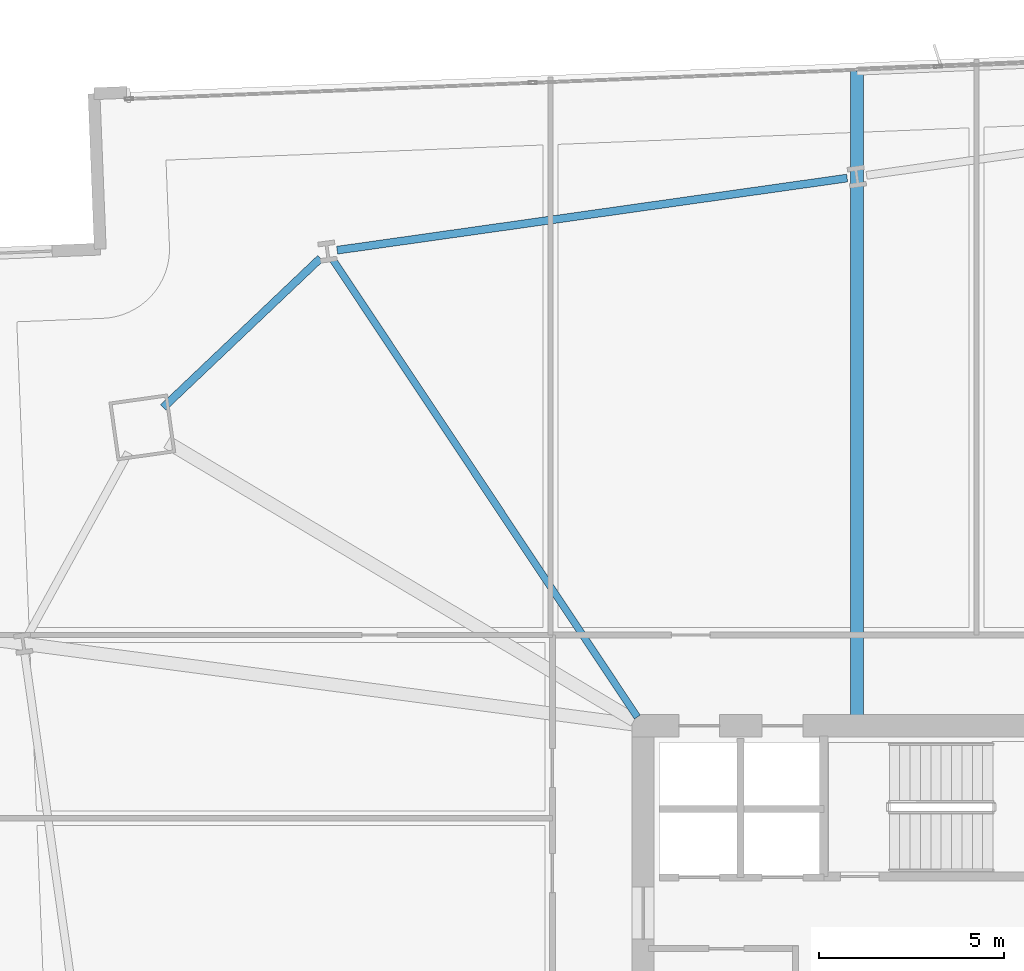
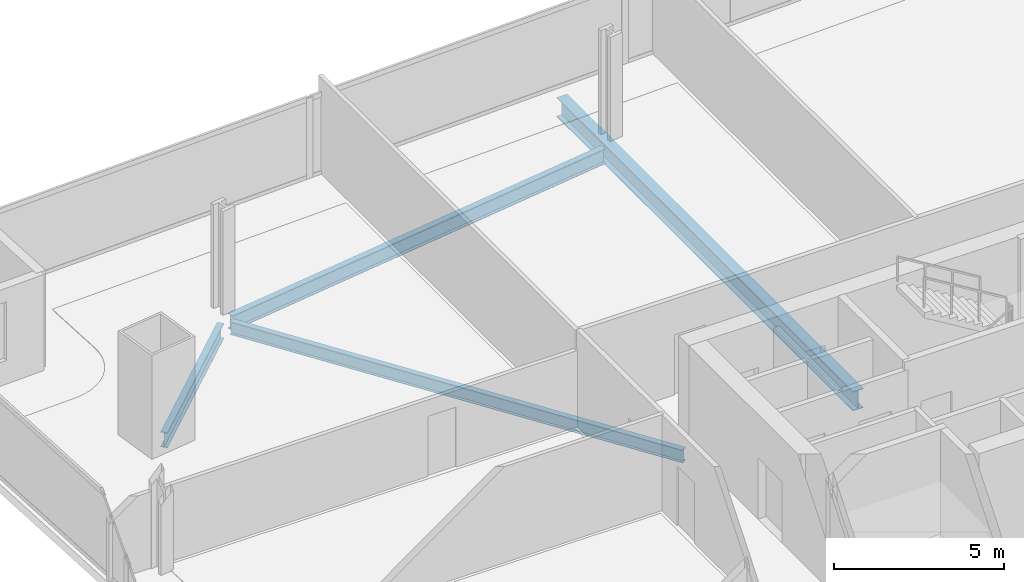
# One storey, part 17 of 32: 4 beams.
"""IFC4 building model written with IfcOpenShell, lengths in metres."""

from ifc_helpers import new_model, si_unit, direction, frame, origin, origin_2d, place, context, subcontext, project, spatial, i_section, extrude, material, material_profile, profile_set, type_object, element, save


model = new_model("IFC4")

# Units and contexts
model_context = context("Model", 3, precision=1e-05, world=origin(), true_north=direction((0.0, 1.0)))
body_context = subcontext(model_context, "Body", "Model", "MODEL_VIEW")
ifc_project = project(units=[si_unit("LENGTHUNIT", "METRE"), si_unit("AREAUNIT", "SQUARE_METRE"), si_unit("VOLUMEUNIT", "CUBIC_METRE"), si_unit("PLANEANGLEUNIT", "RADIAN"), si_unit("MASSUNIT", "GRAM", prefix="KILO")], contexts=[model_context])

# Site, building, storey
site_placement = place(None, origin())
site = spatial("IfcSite", under=ifc_project, at=site_placement, CompositionType="ELEMENT")
building_placement = place(site_placement, origin())
building = spatial("IfcBuilding", under=site, at=building_placement, Name="Haldenkirk Collegiate Tower", CompositionType="ELEMENT")
storey_placement = place(building_placement, frame((0.0, 0.0, 36.449951171875)))
storey = spatial("IfcBuildingStorey", under=building, at=storey_placement, Name="L07", CompositionType="ELEMENT", Elevation=36.449951171875)

# Beams
ifc_material = material(Name="Steel ASTM A992 Grade 50", Category="steel")
ifc_material_profile_1 = material_profile(ifc_material, i_section(OverallWidth=0.35498046875, OverallDepth=0.696044921875, WebThickness=0.015380859375, FlangeThickness=0.02490234375, at=origin_2d()), Name="W27X146")
ifc_profile_set_1 = profile_set([ifc_material_profile_1], Name="Steel ASTM A992 Grade 50")
beam_type_1 = type_object("IfcBeamType", Name="BM-GIRDER-W27X146", PredefinedType="BEAM", material=ifc_profile_set_1)
beam_1_placement = place(storey_placement, frame((32.772216796875, 51.671142578125, -0.657958984375), z_axis=(0.0, -1.0, 0.0), x_axis=(1.0, 0.0, 0.0)))
element("IfcBeam", 1, at=beam_1_placement, inside=storey, type_object=beam_type_1, Name="L07 primary floor girder 12", PredefinedType="BEAM", context=body_context, shape_type="SweptSolid", body=[
    extrude(i_section(OverallWidth=0.35498046875, OverallDepth=0.696044921875, WebThickness=0.015380859375, FlangeThickness=0.02490234375, at=origin_2d()), origin(), (0.0, 0.0, 1.0), 17.39111328125),
])
ifc_material_profile_2 = material_profile(ifc_material, i_section(OverallWidth=0.19189453125, OverallDepth=0.462890625, WebThickness=0.010498046875, FlangeThickness=0.017578125, at=origin_2d()), Name="W18X60")
ifc_profile_set_2 = profile_set([ifc_material_profile_2], Name="Steel ASTM A992 Grade 50")
beam_type_2 = type_object("IfcBeamType", Name="BM-JOIST-W18X60", PredefinedType="JOIST", material=ifc_profile_set_2)
beam_2_placement = place(storey_placement, frame((18.625, 46.5810546875, -0.54150390625), z_axis=(0.554130343162, -0.83242991464, 0.0), x_axis=(0.83242991464, 0.554130343162, 0.0)))
element("IfcBeam", 2, at=beam_2_placement, inside=storey, type_object=beam_type_2, Name="L07 composite floor joist 13", PredefinedType="JOIST", context=body_context, shape_type="SweptSolid", body=[
    extrude(i_section(OverallWidth=0.19189453125, OverallDepth=0.462890625, WebThickness=0.010498046875, FlangeThickness=0.017578125, at=origin_2d()), origin(), (0.0, 0.0, 1.0), 14.83349609375),
])
ifc_material_profile_3 = material_profile(ifc_material, i_section(OverallWidth=0.2119140625, OverallDepth=0.5439453125, WebThickness=0.01318359375, FlangeThickness=0.021240234375, at=origin_2d()), Name="W21X83")
ifc_profile_set_3 = profile_set([ifc_material_profile_3], Name="Steel ASTM A992 Grade 50")
beam_type_3 = type_object("IfcBeamType", Name="BM-SPANDREL-W21X83", PredefinedType="SPANDREL", material=ifc_profile_set_3)
beam_3_placement = place(storey_placement, frame((32.51025390625, 48.785888671875, -0.58203125), z_axis=(-0.990146197746, -0.14003752029, 0.0), x_axis=(0.14003752029, -0.990146197746, 0.0)))
element("IfcBeam", 3, at=beam_3_placement, inside=storey, type_object=beam_type_3, Name="L07 perimeter spandrel beam 11", PredefinedType="SPANDREL", context=body_context, shape_type="SweptSolid", body=[
    extrude(i_section(OverallWidth=0.2119140625, OverallDepth=0.5439453125, WebThickness=0.01318359375, FlangeThickness=0.021240234375, at=origin_2d()), origin(), (0.0, 0.0, 1.0), 13.906982421875),
])
beam_4_placement = place(storey_placement, frame((18.28662109375, 46.619140625, -0.58203125), z_axis=(-0.725132817178, -0.688609030911, 0.0), x_axis=(0.688609030911, -0.725132817178, 0.0)))
element("IfcBeam", 4, at=beam_4_placement, inside=storey, type_object=beam_type_3, Name="L07 perimeter spandrel beam 12", PredefinedType="SPANDREL", context=body_context, shape_type="SweptSolid", body=[
    extrude(i_section(OverallWidth=0.2119140625, OverallDepth=0.5439453125, WebThickness=0.01318359375, FlangeThickness=0.021240234375, at=origin_2d()), origin(), (0.0, 0.0, 1.0), 5.848876953125),
])

save(model, "model.ifc")
